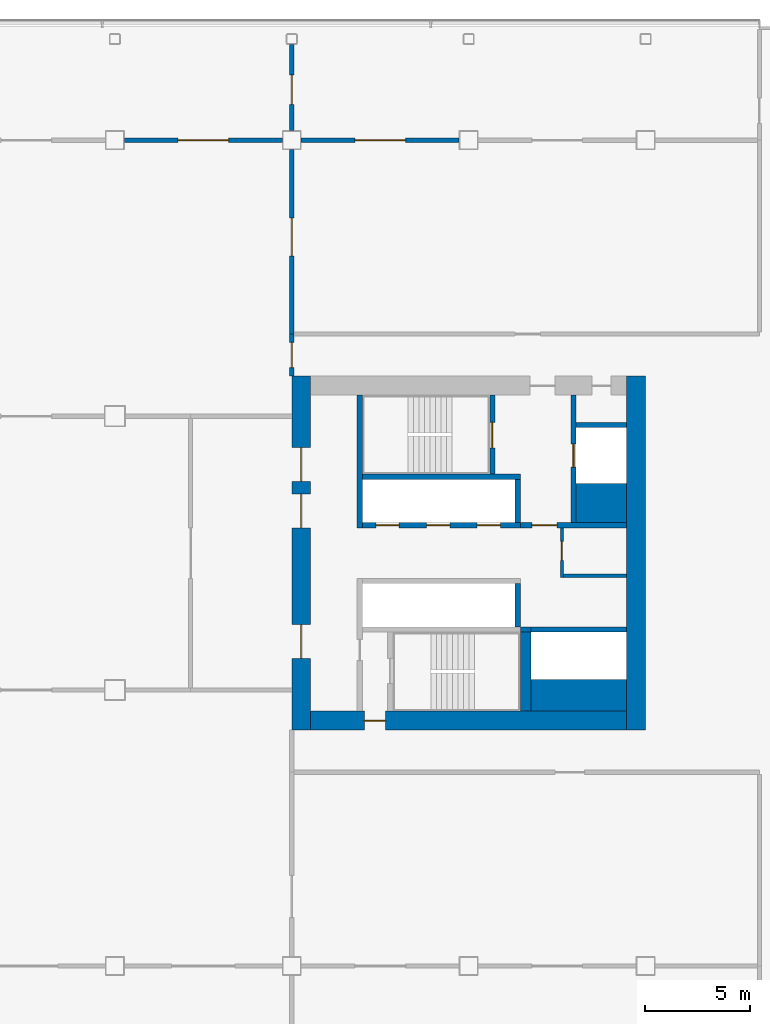
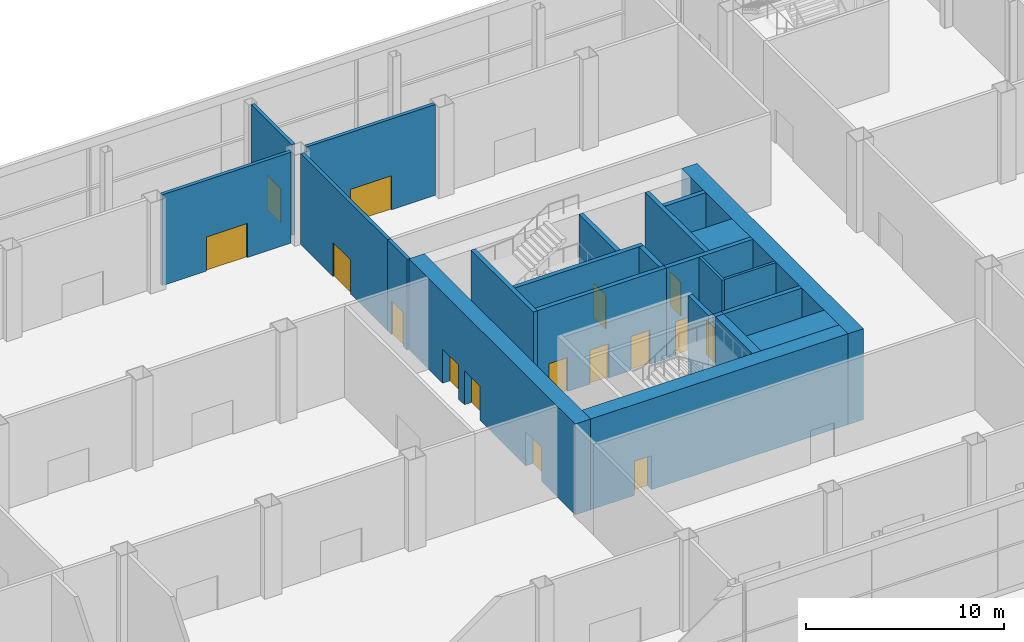
# One storey, part 36 of 100: 24 walls, 16 doors, 16 openings.
"""IFC4 building model written with IfcOpenShell, lengths in metres."""

from ifc_helpers import new_model, si_unit, direction, frame, frame_2d, origin, place, context, subcontext, project, spatial, rectangle, extrude, material, layer, layer_set, type_object, element, fill, save


model = new_model("IFC4")

# Units and contexts
model_context = context("Model", 3, precision=1e-05, world=origin(), true_north=direction((0.0, 1.0)))
body_context = subcontext(model_context, "Body", "Model", "MODEL_VIEW")
ifc_project = project(units=[si_unit("LENGTHUNIT", "METRE"), si_unit("AREAUNIT", "SQUARE_METRE"), si_unit("VOLUMEUNIT", "CUBIC_METRE"), si_unit("PLANEANGLEUNIT", "RADIAN"), si_unit("MASSUNIT", "GRAM", prefix="KILO")], contexts=[model_context])

# Site, building, storey
site_placement = place(None, origin())
site = spatial("IfcSite", under=ifc_project, at=site_placement, CompositionType="ELEMENT")
building_placement = place(site_placement, origin())
building = spatial("IfcBuilding", under=site, at=building_placement, Name="Hakoniwa Tower and Hamabe Station Hall", CompositionType="ELEMENT")
storey_placement = place(building_placement, frame((0.0, 0.0, 9.0)))
storey = spatial("IfcBuildingStorey", under=building, at=storey_placement, Name="L02", CompositionType="ELEMENT", Elevation=9.0)

# Wall, opening, door
ifc_material_1 = material(Name="Gypsum board partition")
ifc_layer_1 = layer(ifc_material_1, 0.14990234375)
ifc_layer_set_1 = layer_set([ifc_layer_1], Name="CORE PARTITION 150 EI 60")
wall_type_1 = type_object("IfcWallType", Name="CORE PARTITION 150 EI 60", PredefinedType="PARTITIONING", material=ifc_layer_set_1)
wall_1_placement = place(storey_placement, frame((29.625, -1.14990234375, 0.0), z_axis=(0.0, 0.0, 1.0), x_axis=(0.0, 1.0, 0.0)))
wall_1 = element("IfcWall", 1, at=wall_1_placement, inside=storey, type_object=wall_type_1, Name="Core partition PW0 east", PredefinedType="PARTITIONING", context=body_context, shape_type="SweptSolid", body=[
    extrude(rectangle(XDim=2.349853515625, YDim=0.14990234375, at=frame_2d((1.1748046875, 0.0))), origin(), (0.0, 0.0, 1.0), 5.60009765625),
])
opening_1_placement = place(wall_1_placement, frame((0.800048828125, 0.0, 0.0)))
opening_1 = element("IfcOpeningElement", 2, at=opening_1_placement, cuts=wall_1, Name="Opening CD-E-RM1-9", PredefinedType="OPENING", context=body_context, shape_type="SweptSolid", body=[
    extrude(rectangle(XDim=0.89990234375, YDim=2.10009765625, at=frame_2d((0.449951171875, 1.050048828125))), frame((0.0, 0.0849609375, 0.0), z_axis=(0.0, -1.0, 0.0), x_axis=(1.0, 0.0, 0.0)), (0.0, 0.0, 1.0), 0.169921875),
])
ifc_material_2 = material(Name="Steel fire door", Category="steel")
door_type_1 = type_object("IfcDoorType", Name="CORE DOOR 900 FD30", OperationType="NOTDEFINED", PredefinedType="DOOR", material=ifc_material_2)
door_1_placement = place(opening_1_placement, origin())
door_1 = element("IfcDoor", 3, at=door_1_placement, inside=storey, type_object=door_type_1, Name="Store room door", OperationType="SINGLE_SWING_LEFT", OverallHeight=2.10009765625, OverallWidth=0.89990234375, PredefinedType="DOOR", context=body_context, shape_type="SweptSolid", body=[
    extrude(rectangle(XDim=0.89990234375, YDim=2.10009765625, at=frame_2d((0.449951171875, 1.050048828125))), frame((0.0, 0.02490234375, 0.0), z_axis=(0.0, -1.0, 0.0), x_axis=(1.0, 0.0, 0.0)), (0.0, 0.0, 1.0), 0.050048828125),
])
fill(opening_1, door_1)

# Wall
wall_2_placement = place(storey_placement, frame((29.699951171875, -1.074951171875, 0.0), z_axis=(0.0, 0.0, 1.0), x_axis=(1.0, 0.0, 0.0)))
element("IfcWall", 4, at=wall_2_placement, inside=storey, type_object=wall_type_1, Name="Core partition PS east", PredefinedType="PARTITIONING", context=body_context, shape_type="SweptSolid", body=[
    extrude(rectangle(XDim=3.0, YDim=0.14990234375, at=frame_2d((1.5, 0.0))), origin(), (0.0, 0.0, 1.0), 5.60009765625),
])

# Wall, openings, doors
ifc_material_3 = material(Name="Concrete C80", Category="concrete")
ifc_layer_2 = layer(ifc_material_3, 0.89990234375)
ifc_layer_set_2 = layer_set([ifc_layer_2], Name="CORE WALL 900 C80")
wall_type_2 = type_object("IfcWallType", Name="CORE WALL 900 C80", PredefinedType="SHEAR", material=ifc_layer_set_2)
wall_3_placement = place(storey_placement, frame((17.25, -8.39990234375, 0.0), z_axis=(0.0, 0.0, 1.0), x_axis=(0.0, 1.0, 0.0)))
wall_3 = element("IfcWall", 5, at=wall_3_placement, inside=storey, type_object=wall_type_2, Name="Core wall INNER east", PredefinedType="SHEAR", context=body_context, shape_type="SweptSolid", body=[
    extrude(rectangle(XDim=16.7998046875, YDim=0.89990234375, at=frame_2d((8.39990234375, 0.0))), origin(), (0.0, 0.0, 1.0), 5.60009765625),
])
opening_2_placement = place(wall_3_placement, frame((3.39990234375, 0.0, 0.0)))
opening_2 = element("IfcOpeningElement", 6, at=opening_2_placement, cuts=wall_3, Name="Opening CD-E-IN1-16", PredefinedType="OPENING", context=body_context, shape_type="SweptSolid", body=[
    extrude(rectangle(XDim=1.60009765625, YDim=2.10009765625, at=frame_2d((0.800048828125, 1.050048828125))), frame((0.0, 0.4599609375, 0.0), z_axis=(0.0, -1.0, 0.0), x_axis=(1.0, 0.0, 0.0)), (0.0, 0.0, 1.0), 0.919921875),
])
opening_3_placement = place(wall_3_placement, frame((9.60009765625, 0.0, 0.0)))
opening_3 = element("IfcOpeningElement", 7, at=opening_3_placement, cuts=wall_3, Name="Opening CD-E-IN2-16", PredefinedType="OPENING", context=body_context, shape_type="SweptSolid", body=[
    extrude(rectangle(XDim=1.60009765625, YDim=2.10009765625, at=frame_2d((0.800048828125, 1.050048828125))), frame((0.0, 0.4599609375, 0.0), z_axis=(0.0, -1.0, 0.0), x_axis=(1.0, 0.0, 0.0)), (0.0, 0.0, 1.0), 0.919921875),
])
opening_4_placement = place(wall_3_placement, frame((11.800048828125, 0.0, 0.0)))
opening_4 = element("IfcOpeningElement", 8, at=opening_4_placement, cuts=wall_3, Name="Opening CD-E-IN3-16", PredefinedType="OPENING", context=body_context, shape_type="SweptSolid", body=[
    extrude(rectangle(XDim=1.60009765625, YDim=2.10009765625, at=frame_2d((0.800048828125, 1.050048828125))), frame((0.0, 0.4599609375, 0.0), z_axis=(0.0, -1.0, 0.0), x_axis=(1.0, 0.0, 0.0)), (0.0, 0.0, 1.0), 0.919921875),
])
ifc_material_4 = material(Name="Steel fire door", Category="steel")
door_type_2 = type_object("IfcDoorType", Name="CORE DOOR 1600 FD60", OperationType="DOUBLE_DOOR_SINGLE_SWING", PredefinedType="DOOR", material=ifc_material_4)
door_2_placement = place(opening_2_placement, origin())
door_2 = element("IfcDoor", 9, at=door_2_placement, inside=storey, type_object=door_type_2, Name="Lift lobby door", OperationType="DOUBLE_DOOR_SINGLE_SWING", OverallHeight=2.10009765625, OverallWidth=1.60009765625, PredefinedType="DOOR", context=body_context, shape_type="SweptSolid", body=[
    extrude(rectangle(XDim=1.60009765625, YDim=2.10009765625, at=frame_2d((0.800048828125, 1.050048828125))), frame((0.0, 0.02490234375, 0.0), z_axis=(0.0, -1.0, 0.0), x_axis=(1.0, 0.0, 0.0)), (0.0, 0.0, 1.0), 0.050048828125),
])
fill(opening_2, door_2)
door_3_placement = place(opening_3_placement, origin())
door_3 = element("IfcDoor", 10, at=door_3_placement, inside=storey, type_object=door_type_2, Name="Lift lobby door", OperationType="DOUBLE_DOOR_SINGLE_SWING", OverallHeight=2.10009765625, OverallWidth=1.60009765625, PredefinedType="DOOR", context=body_context, shape_type="SweptSolid", body=[
    extrude(rectangle(XDim=1.60009765625, YDim=2.10009765625, at=frame_2d((0.800048828125, 1.050048828125))), frame((0.0, 0.02490234375, 0.0), z_axis=(0.0, -1.0, 0.0), x_axis=(1.0, 0.0, 0.0)), (0.0, 0.0, 1.0), 0.050048828125),
])
fill(opening_3, door_3)
door_4_placement = place(opening_4_placement, origin())
door_4 = element("IfcDoor", 11, at=door_4_placement, inside=storey, type_object=door_type_2, Name="Lift lobby door", OperationType="DOUBLE_DOOR_SINGLE_SWING", OverallHeight=2.10009765625, OverallWidth=1.60009765625, PredefinedType="DOOR", context=body_context, shape_type="SweptSolid", body=[
    extrude(rectangle(XDim=1.60009765625, YDim=2.10009765625, at=frame_2d((0.800048828125, 1.050048828125))), frame((0.0, 0.02490234375, 0.0), z_axis=(0.0, -1.0, 0.0), x_axis=(1.0, 0.0, 0.0)), (0.0, 0.0, 1.0), 0.050048828125),
])
fill(opening_4, door_4)

# Wall
wall_4_placement = place(storey_placement, frame((33.14990234375, -8.39990234375, 0.0), z_axis=(0.0, 0.0, 1.0), x_axis=(0.0, 1.0, 0.0)))
element("IfcWall", 12, at=wall_4_placement, inside=storey, type_object=wall_type_2, Name="Core wall OUTER east", PredefinedType="SHEAR", context=body_context, shape_type="SweptSolid", body=[
    extrude(rectangle(XDim=16.7998046875, YDim=0.89990234375, at=frame_2d((8.39990234375, 0.0))), origin(), (0.0, 0.0, 1.0), 5.60009765625),
])

# Wall, opening, door
wall_5_placement = place(storey_placement, frame((17.699951171875, -7.949951171875, 0.0), z_axis=(0.0, 0.0, 1.0), x_axis=(1.0, 0.0, 0.0)))
wall_5 = element("IfcWall", 13, at=wall_5_placement, inside=storey, type_object=wall_type_2, Name="Core wall SOUTH east", PredefinedType="SHEAR", context=body_context, shape_type="SweptSolid", body=[
    extrude(rectangle(XDim=15.0, YDim=0.89990234375, at=frame_2d((7.5, 0.0))), origin(), (0.0, 0.0, 1.0), 5.60009765625),
])
opening_5_placement = place(wall_5_placement, frame((2.550048828125, 0.0, 0.0)))
opening_5 = element("IfcOpeningElement", 14, at=opening_5_placement, cuts=wall_5, Name="Opening CD-E-FS3-10", PredefinedType="OPENING", context=body_context, shape_type="SweptSolid", body=[
    extrude(rectangle(XDim=1.0, YDim=2.10009765625, at=frame_2d((0.5, 1.050048828125))), frame((0.0, 0.4599609375, 0.0), z_axis=(0.0, -1.0, 0.0), x_axis=(1.0, 0.0, 0.0)), (0.0, 0.0, 1.0), 0.919921875),
])
ifc_material_5 = material(Name="Steel fire door", Category="steel")
door_type_3 = type_object("IfcDoorType", Name="CORE DOOR 1000 FD60", OperationType="NOTDEFINED", PredefinedType="DOOR", material=ifc_material_5)
door_5_placement = place(opening_5_placement, origin())
door_5 = element("IfcDoor", 15, at=door_5_placement, inside=storey, type_object=door_type_3, Name="Stair vestibule door", OperationType="SINGLE_SWING_RIGHT", OverallHeight=2.10009765625, OverallWidth=1.0, PredefinedType="DOOR", context=body_context, shape_type="SweptSolid", body=[
    extrude(rectangle(XDim=1.0, YDim=2.10009765625, at=frame_2d((0.5, 1.050048828125))), frame((0.0, 0.02490234375, 0.0), z_axis=(0.0, -1.0, 0.0), x_axis=(1.0, 0.0, 0.0)), (0.0, 0.0, 1.0), 0.050048828125),
])
fill(opening_5, door_5)

# Walls
ifc_material_6 = material(Name="Concrete C80", Category="concrete")
ifc_layer_3 = layer(ifc_material_6, 1.5)
ifc_layer_set_3 = layer_set([ifc_layer_3], Name="CORE WEB WALL 1500 C80")
wall_type_3 = type_object("IfcWallType", Name="CORE WEB WALL 1500 C80", PredefinedType="SHEAR", material=ifc_layer_set_3)
wall_6_placement = place(storey_placement, frame((28.14990234375, -6.75, 0.0), z_axis=(0.0, 0.0, 1.0), x_axis=(1.0, 0.0, 0.0)))
element("IfcWall", 16, at=wall_6_placement, inside=storey, type_object=wall_type_3, Name="Core wall SER east", PredefinedType="SHEAR", context=body_context, shape_type="SweptSolid", body=[
    extrude(rectangle(XDim=4.550048828125, YDim=1.5, at=frame_2d((2.27490234375, 0.0))), origin(), (0.0, 0.0, 1.0), 5.60009765625),
])
ifc_material_7 = material(Name="Concrete C80", Category="concrete")
ifc_layer_4 = layer(ifc_material_7, 1.85009765625)
ifc_layer_set_4 = layer_set([ifc_layer_4], Name="CORE WEB WALL 1850 C80")
wall_type_4 = type_object("IfcWallType", Name="CORE WEB WALL 1850 C80", PredefinedType="SHEAR", material=ifc_layer_set_4)
wall_7_placement = place(storey_placement, frame((30.300048828125, 2.375, 0.0), z_axis=(0.0, 0.0, 1.0), x_axis=(1.0, 0.0, 0.0)))
element("IfcWall", 17, at=wall_7_placement, inside=storey, type_object=wall_type_4, Name="Core wall CA east", PredefinedType="SHEAR", context=body_context, shape_type="SweptSolid", body=[
    extrude(rectangle(XDim=2.39990234375, YDim=1.85009765625, at=frame_2d((1.199951171875, 0.0))), origin(), (0.0, 0.0, 1.0), 5.60009765625),
])
ifc_material_8 = material(Name="Concrete C80", Category="concrete")
ifc_layer_5 = layer(ifc_material_8, 0.25)
ifc_layer_set_5 = layer_set([ifc_layer_5], Name="CORE WEB WALL 250 C80")
wall_type_5 = type_object("IfcWallType", Name="CORE WEB WALL 250 C80", PredefinedType="SHEAR", material=ifc_layer_set_5)
wall_8_placement = place(storey_placement, frame((20.02490234375, 1.199951171875, 0.0), z_axis=(0.0, 0.0, 1.0), x_axis=(0.0, 1.0, 0.0)))
element("IfcWall", 18, at=wall_8_placement, inside=storey, type_object=wall_type_5, Name="Core wall W1N east", PredefinedType="SHEAR", context=body_context, shape_type="SweptSolid", body=[
    extrude(rectangle(XDim=6.300048828125, YDim=0.25, at=frame_2d((3.14990234375, 0.0))), origin(), (0.0, 0.0, 1.0), 5.60009765625),
])

# Wall, openings, doors
wall_9_placement = place(storey_placement, frame((20.14990234375, 1.324951171875, 0.0), z_axis=(0.0, 0.0, 1.0), x_axis=(1.0, 0.0, 0.0)))
wall_9 = element("IfcWall", 19, at=wall_9_placement, inside=storey, type_object=wall_type_5, Name="Core wall NF east", PredefinedType="SHEAR", context=body_context, shape_type="SweptSolid", body=[
    extrude(rectangle(XDim=7.5, YDim=0.25, at=frame_2d((3.75, 0.0))), origin(), (0.0, 0.0, 1.0), 5.60009765625),
])
opening_6_placement = place(wall_9_placement, frame((0.64990234375, 0.0, 0.0)))
opening_6 = element("IfcOpeningElement", 20, at=opening_6_placement, cuts=wall_9, Name="Opening LD-LR4", PredefinedType="OPENING", context=body_context, shape_type="SweptSolid", body=[
    extrude(rectangle(XDim=1.10009765625, YDim=2.10009765625, at=frame_2d((0.550048828125, 1.050048828125))), frame((0.0, 0.135009765625, 0.0), z_axis=(0.0, -1.0, 0.0), x_axis=(1.0, 0.0, 0.0)), (0.0, 0.0, 1.0), 0.27001953125),
])
opening_7_placement = place(wall_9_placement, frame((3.050048828125, 0.0, 0.0)))
opening_7 = element("IfcOpeningElement", 21, at=opening_7_placement, cuts=wall_9, Name="Opening LD-LR5", PredefinedType="OPENING", context=body_context, shape_type="SweptSolid", body=[
    extrude(rectangle(XDim=1.10009765625, YDim=2.10009765625, at=frame_2d((0.550048828125, 1.050048828125))), frame((0.0, 0.135009765625, 0.0), z_axis=(0.0, -1.0, 0.0), x_axis=(1.0, 0.0, 0.0)), (0.0, 0.0, 1.0), 0.27001953125),
])
opening_8_placement = place(wall_9_placement, frame((5.449951171875, 0.0, 0.0)))
opening_8 = element("IfcOpeningElement", 22, at=opening_8_placement, cuts=wall_9, Name="Opening LD-LR6", PredefinedType="OPENING", context=body_context, shape_type="SweptSolid", body=[
    extrude(rectangle(XDim=1.10009765625, YDim=2.10009765625, at=frame_2d((0.550048828125, 1.050048828125))), frame((0.0, 0.135009765625, 0.0), z_axis=(0.0, -1.0, 0.0), x_axis=(1.0, 0.0, 0.0)), (0.0, 0.0, 1.0), 0.27001953125),
])
ifc_material_9 = material(Name="Stainless steel SUS304", Category="steel")
door_type_4 = type_object("IfcDoorType", Name="LIFT LANDING DOOR 1100 FD60", OperationType="DOUBLE_DOOR_SLIDING", PredefinedType="DOOR", material=ifc_material_9)
door_6_placement = place(opening_6_placement, origin())
door_6 = element("IfcDoor", 23, at=door_6_placement, inside=storey, type_object=door_type_4, Name="Lift landing door LR4 L02", OperationType="DOUBLE_DOOR_SLIDING", OverallHeight=2.10009765625, OverallWidth=1.10009765625, PredefinedType="DOOR", context=body_context, shape_type="SweptSolid", body=[
    extrude(rectangle(XDim=1.10009765625, YDim=2.10009765625, at=frame_2d((0.550048828125, 1.050048828125))), frame((0.0, 0.02490234375, 0.0), z_axis=(0.0, -1.0, 0.0), x_axis=(1.0, 0.0, 0.0)), (0.0, 0.0, 1.0), 0.050048828125),
])
fill(opening_6, door_6)
door_7_placement = place(opening_7_placement, origin())
door_7 = element("IfcDoor", 24, at=door_7_placement, inside=storey, type_object=door_type_4, Name="Lift landing door LR5 L02", OperationType="DOUBLE_DOOR_SLIDING", OverallHeight=2.10009765625, OverallWidth=1.10009765625, PredefinedType="DOOR", context=body_context, shape_type="SweptSolid", body=[
    extrude(rectangle(XDim=1.10009765625, YDim=2.10009765625, at=frame_2d((0.550048828125, 1.050048828125))), frame((0.0, 0.02490234375, 0.0), z_axis=(0.0, -1.0, 0.0), x_axis=(1.0, 0.0, 0.0)), (0.0, 0.0, 1.0), 0.050048828125),
])
fill(opening_7, door_7)
door_8_placement = place(opening_8_placement, origin())
door_8 = element("IfcDoor", 25, at=door_8_placement, inside=storey, type_object=door_type_4, Name="Lift landing door LR6 L02", OperationType="DOUBLE_DOOR_SLIDING", OverallHeight=2.10009765625, OverallWidth=1.10009765625, PredefinedType="DOOR", context=body_context, shape_type="SweptSolid", body=[
    extrude(rectangle(XDim=1.10009765625, YDim=2.10009765625, at=frame_2d((0.550048828125, 1.050048828125))), frame((0.0, 0.02490234375, 0.0), z_axis=(0.0, -1.0, 0.0), x_axis=(1.0, 0.0, 0.0)), (0.0, 0.0, 1.0), 0.050048828125),
])
fill(opening_8, door_8)

# Walls
wall_10_placement = place(storey_placement, frame((27.52490234375, 1.449951171875, 0.0), z_axis=(0.0, 0.0, 1.0), x_axis=(0.0, 1.0, 0.0)))
element("IfcWall", 26, at=wall_10_placement, inside=storey, type_object=wall_type_5, Name="Core wall NE east", PredefinedType="SHEAR", context=body_context, shape_type="SweptSolid", body=[
    extrude(rectangle(XDim=2.050048828125, YDim=0.25, at=frame_2d((1.02490234375, 0.0))), origin(), (0.0, 0.0, 1.0), 5.60009765625),
])
wall_11_placement = place(storey_placement, frame((20.14990234375, 3.625, 0.0), z_axis=(0.0, 0.0, 1.0), x_axis=(1.0, 0.0, 0.0)))
element("IfcWall", 27, at=wall_11_placement, inside=storey, type_object=wall_type_5, Name="Core wall NR east", PredefinedType="SHEAR", context=body_context, shape_type="SweptSolid", body=[
    extrude(rectangle(XDim=7.5, YDim=0.25, at=frame_2d((3.75, 0.0))), origin(), (0.0, 0.0, 1.0), 5.60009765625),
])

# Wall, opening, door
wall_12_placement = place(storey_placement, frame((26.324951171875, 3.75, 0.0), z_axis=(0.0, 0.0, 1.0), x_axis=(0.0, 1.0, 0.0)))
wall_12 = element("IfcWall", 28, at=wall_12_placement, inside=storey, type_object=wall_type_5, Name="Core wall NSE east", PredefinedType="SHEAR", context=body_context, shape_type="SweptSolid", body=[
    extrude(rectangle(XDim=3.75, YDim=0.25, at=frame_2d((1.875, 0.0))), origin(), (0.0, 0.0, 1.0), 5.60009765625),
])
opening_9_placement = place(wall_12_placement, frame((1.25, 0.0, 0.0)))
opening_9 = element("IfcOpeningElement", 29, at=opening_9_placement, cuts=wall_12, Name="Opening CD-E-SN-12", PredefinedType="OPENING", context=body_context, shape_type="SweptSolid", body=[
    extrude(rectangle(XDim=1.199951171875, YDim=2.10009765625, at=frame_2d((0.60009765625, 1.050048828125))), frame((0.0, 0.135009765625, 0.0), z_axis=(0.0, -1.0, 0.0), x_axis=(1.0, 0.0, 0.0)), (0.0, 0.0, 1.0), 0.27001953125),
])
ifc_material_10 = material(Name="Steel fire door", Category="steel")
door_type_5 = type_object("IfcDoorType", Name="CORE DOOR 1200 FD60", OperationType="DOUBLE_DOOR_SINGLE_SWING", PredefinedType="DOOR", material=ifc_material_10)
door_9_placement = place(opening_9_placement, origin())
door_9 = element("IfcDoor", 30, at=door_9_placement, inside=storey, type_object=door_type_5, Name="Escape stair door", OperationType="DOUBLE_DOOR_SINGLE_SWING", OverallHeight=2.10009765625, OverallWidth=1.199951171875, PredefinedType="DOOR", context=body_context, shape_type="SweptSolid", body=[
    extrude(rectangle(XDim=1.199951171875, YDim=2.10009765625, at=frame_2d((0.60009765625, 1.050048828125))), frame((0.0, 0.02490234375, 0.0), z_axis=(0.0, -1.0, 0.0), x_axis=(1.0, 0.0, 0.0)), (0.0, 0.0, 1.0), 0.050048828125),
])
fill(opening_9, door_9)

wall_13_placement = place(storey_placement, frame((27.64990234375, 1.324951171875, 0.0), z_axis=(0.0, 0.0, 1.0), x_axis=(1.0, 0.0, 0.0)))
wall_13 = element("IfcWall", 31, at=wall_13_placement, inside=storey, type_object=wall_type_5, Name="Core wall ELN east", PredefinedType="SHEAR", context=body_context, shape_type="SweptSolid", body=[
    extrude(rectangle(XDim=5.050048828125, YDim=0.25, at=frame_2d((2.52490234375, 0.0))), origin(), (0.0, 0.0, 1.0), 5.60009765625),
])
opening_10_placement = place(wall_13_placement, frame((0.550048828125, 0.0, 0.0)))
opening_10 = element("IfcOpeningElement", 32, at=opening_10_placement, cuts=wall_13, Name="Opening CD-E-FL-12", PredefinedType="OPENING", context=body_context, shape_type="SweptSolid", body=[
    extrude(rectangle(XDim=1.199951171875, YDim=2.10009765625, at=frame_2d((0.60009765625, 1.050048828125))), frame((0.0, 0.135009765625, 0.0), z_axis=(0.0, -1.0, 0.0), x_axis=(1.0, 0.0, 0.0)), (0.0, 0.0, 1.0), 0.27001953125),
])
door_10_placement = place(opening_10_placement, origin())
door_10 = element("IfcDoor", 33, at=door_10_placement, inside=storey, type_object=door_type_5, Name="Stair vestibule door to the fire-fighting lobby", OperationType="DOUBLE_DOOR_SINGLE_SWING", OverallHeight=2.10009765625, OverallWidth=1.199951171875, PredefinedType="DOOR", context=body_context, shape_type="SweptSolid", body=[
    extrude(rectangle(XDim=1.199951171875, YDim=2.10009765625, at=frame_2d((0.60009765625, 1.050048828125))), frame((0.0, 0.02490234375, 0.0), z_axis=(0.0, -1.0, 0.0), x_axis=(1.0, 0.0, 0.0)), (0.0, 0.0, 1.0), 0.050048828125),
])
fill(opening_10, door_10)

wall_14_placement = place(storey_placement, frame((30.175048828125, 1.449951171875, 0.0), z_axis=(0.0, 0.0, 1.0), x_axis=(0.0, 1.0, 0.0)))
wall_14 = element("IfcWall", 34, at=wall_14_placement, inside=storey, type_object=wall_type_5, Name="Core wall FFF east", PredefinedType="SHEAR", context=body_context, shape_type="SweptSolid", body=[
    extrude(rectangle(XDim=6.050048828125, YDim=0.25, at=frame_2d((3.02490234375, 0.0))), origin(), (0.0, 0.0, 1.0), 5.60009765625),
])
opening_11_placement = place(wall_14_placement, frame((2.625, 0.0, 0.0)))
opening_11 = element("IfcOpeningElement", 35, at=opening_11_placement, cuts=wall_14, Name="Opening LD-FF2", PredefinedType="OPENING", context=body_context, shape_type="SweptSolid", body=[
    extrude(rectangle(XDim=1.10009765625, YDim=2.10009765625, at=frame_2d((0.550048828125, 1.050048828125))), frame((0.0, 0.135009765625, 0.0), z_axis=(0.0, -1.0, 0.0), x_axis=(1.0, 0.0, 0.0)), (0.0, 0.0, 1.0), 0.27001953125),
])
door_11_placement = place(opening_11_placement, origin())
door_11 = element("IfcDoor", 36, at=door_11_placement, inside=storey, type_object=door_type_4, Name="Lift landing door FF2 L02", OperationType="DOUBLE_DOOR_SLIDING", OverallHeight=2.10009765625, OverallWidth=1.10009765625, PredefinedType="DOOR", context=body_context, shape_type="SweptSolid", body=[
    extrude(rectangle(XDim=1.10009765625, YDim=2.10009765625, at=frame_2d((0.550048828125, 1.050048828125))), frame((0.0, 0.02490234375, 0.0), z_axis=(0.0, -1.0, 0.0), x_axis=(1.0, 0.0, 0.0)), (0.0, 0.0, 1.0), 0.050048828125),
])
fill(opening_11, door_11)

# Walls
wall_15_placement = place(storey_placement, frame((30.300048828125, 6.074951171875, 0.0), z_axis=(0.0, 0.0, 1.0), x_axis=(1.0, 0.0, 0.0)))
element("IfcWall", 37, at=wall_15_placement, inside=storey, type_object=wall_type_5, Name="Core wall C2 east", PredefinedType="SHEAR", context=body_context, shape_type="SweptSolid", body=[
    extrude(rectangle(XDim=2.39990234375, YDim=0.25, at=frame_2d((1.199951171875, 0.0))), origin(), (0.0, 0.0, 1.0), 5.60009765625),
])
wall_16_placement = place(storey_placement, frame((27.52490234375, -3.5, 0.0), z_axis=(0.0, 0.0, 1.0), x_axis=(0.0, 1.0, 0.0)))
element("IfcWall", 38, at=wall_16_placement, inside=storey, type_object=wall_type_5, Name="Core wall SE east", PredefinedType="SHEAR", context=body_context, shape_type="SweptSolid", body=[
    extrude(rectangle(XDim=2.050048828125, YDim=0.25, at=frame_2d((1.02490234375, 0.0))), origin(), (0.0, 0.0, 1.0), 5.60009765625),
])
wall_17_placement = place(storey_placement, frame((28.14990234375, -3.625, 0.0), z_axis=(0.0, 0.0, 1.0), x_axis=(1.0, 0.0, 0.0)))
element("IfcWall", 39, at=wall_17_placement, inside=storey, type_object=wall_type_5, Name="Core wall SEF east", PredefinedType="SHEAR", context=body_context, shape_type="SweptSolid", body=[
    extrude(rectangle(XDim=4.550048828125, YDim=0.25, at=frame_2d((2.27490234375, 0.0))), origin(), (0.0, 0.0, 1.0), 5.60009765625),
])
wall_18_placement = place(storey_placement, frame((27.64990234375, -3.625, 0.0), z_axis=(0.0, 0.0, 1.0), x_axis=(1.0, 0.0, 0.0)))
element("IfcWall", 40, at=wall_18_placement, inside=storey, type_object=wall_type_5, Name="Core wall SRK east", PredefinedType="SHEAR", context=body_context, shape_type="SweptSolid", body=[
    extrude(rectangle(XDim=0.5, YDim=0.25, at=frame_2d((0.25, 0.0))), origin(), (0.0, 0.0, 1.0), 5.60009765625),
])
ifc_material_11 = material(Name="Concrete C80", Category="concrete")
ifc_layer_6 = layer(ifc_material_11, 0.5)
ifc_layer_set_6 = layer_set([ifc_layer_6], Name="CORE WEB WALL 500 C80")
wall_type_6 = type_object("IfcWallType", Name="CORE WEB WALL 500 C80", PredefinedType="SHEAR", material=ifc_layer_set_6)
wall_19_placement = place(storey_placement, frame((27.89990234375, -7.5, 0.0), z_axis=(0.0, 0.0, 1.0), x_axis=(0.0, 1.0, 0.0)))
element("IfcWall", 41, at=wall_19_placement, inside=storey, type_object=wall_type_6, Name="Core wall SSE east", PredefinedType="SHEAR", context=body_context, shape_type="SweptSolid", body=[
    extrude(rectangle(XDim=3.75, YDim=0.5, at=frame_2d((1.875, 0.0))), origin(), (0.0, 0.0, 1.0), 5.60009765625),
])

# Wall, opening, door
ifc_material_12 = material(Name="Fire-rated gypsum board partition")
ifc_layer_7 = layer(ifc_material_12, 0.199951171875)
ifc_layer_set_7 = layer_set([ifc_layer_7], Name="FIRE PARTITION 200 EI 60")
wall_type_7 = type_object("IfcWallType", Name="FIRE PARTITION 200 EI 60", PredefinedType="PARTITIONING", material=ifc_layer_set_7)
wall_20_placement = place(storey_placement, frame((16.800048828125, 24.14990234375, 0.0), z_axis=(0.0, 0.0, 1.0), x_axis=(0.0, -1.0, 0.0)))
wall_20 = element("IfcWall", 42, at=wall_20_placement, inside=storey, type_object=wall_type_7, Name="Wall Banquet Terrace Gallery / Business Centre Gallery", PredefinedType="PARTITIONING", context=body_context, shape_type="SweptSolid", body=[
    extrude(rectangle(XDim=4.099853515625, YDim=0.199951171875, at=frame_2d((2.0498046875, 0.0))), origin(), (0.0, 0.0, 1.0), 5.60009765625),
])
opening_12_placement = place(wall_20_placement, frame((1.449951171875, 0.0, 0.0)))
opening_12 = element("IfcOpeningElement", 43, at=opening_12_placement, cuts=wall_20, Name="Opening PD-L02-031", PredefinedType="OPENING", context=body_context, shape_type="SweptSolid", body=[
    extrude(rectangle(XDim=1.39990234375, YDim=2.10009765625, at=frame_2d((0.699951171875, 1.050048828125))), frame((0.0, 0.10986328125, 0.0), z_axis=(0.0, -1.0, 0.0), x_axis=(1.0, 0.0, 0.0)), (0.0, 0.0, 1.0), 0.219970703125),
])
ifc_material_13 = material(Name="Timber door leaf", Category="wood")
door_type_6 = type_object("IfcDoorType", Name="SINGLE DOOR 1400X2100", OperationType="SINGLE_SWING_LEFT", PredefinedType="DOOR", material=ifc_material_13)
door_12_placement = place(opening_12_placement, origin())
door_12 = element("IfcDoor", 44, at=door_12_placement, inside=storey, type_object=door_type_6, Name="Door PD-L02-031", OperationType="SINGLE_SWING_RIGHT", OverallHeight=2.10009765625, OverallWidth=1.39990234375, PredefinedType="DOOR", context=body_context, shape_type="SweptSolid", body=[
    extrude(rectangle(XDim=1.39990234375, YDim=2.10009765625, at=frame_2d((0.699951171875, 1.050048828125))), frame((0.0, 0.02490234375, 0.0), z_axis=(0.0, -1.0, 0.0), x_axis=(1.0, 0.0, 0.0)), (0.0, 0.0, 1.0), 0.050048828125),
])
fill(opening_12, door_12)

wall_21_placement = place(storey_placement, frame((17.25, 19.60009765625, 0.0), z_axis=(0.0, 0.0, 1.0), x_axis=(1.0, 0.0, 0.0)))
wall_21 = element("IfcWall", 45, at=wall_21_placement, inside=storey, type_object=wall_type_7, Name="Wall Business Centre / Business Centre Gallery", PredefinedType="PARTITIONING", context=body_context, shape_type="SweptSolid", body=[
    extrude(rectangle(XDim=7.5, YDim=0.199951171875, at=frame_2d((3.75, 0.0))), origin(), (0.0, 0.0, 1.0), 5.60009765625),
])
opening_13_placement = place(wall_21_placement, frame((2.550048828125, 0.0, 0.0)))
opening_13 = element("IfcOpeningElement", 46, at=opening_13_placement, cuts=wall_21, Name="Opening PD-L02-028", PredefinedType="OPENING", context=body_context, shape_type="SweptSolid", body=[
    extrude(rectangle(XDim=2.39990234375, YDim=2.10009765625, at=frame_2d((1.199951171875, 1.050048828125))), frame((0.0, 0.10986328125, 0.0), z_axis=(0.0, -1.0, 0.0), x_axis=(1.0, 0.0, 0.0)), (0.0, 0.0, 1.0), 0.219970703125),
])
ifc_material_14 = material(Name="Glazed aluminium door", Category="aluminium")
door_type_7 = type_object("IfcDoorType", Name="DOUBLE GLAZED DOOR 2400X2100", OperationType="DOUBLE_DOOR_DOUBLE_SWING", PredefinedType="DOOR", material=ifc_material_14)
door_13_placement = place(opening_13_placement, origin())
door_13 = element("IfcDoor", 47, at=door_13_placement, inside=storey, type_object=door_type_7, Name="Door PD-L02-028", OperationType="DOUBLE_DOOR_DOUBLE_SWING", OverallHeight=2.10009765625, OverallWidth=2.39990234375, PredefinedType="DOOR", context=body_context, shape_type="SweptSolid", body=[
    extrude(rectangle(XDim=2.39990234375, YDim=2.10009765625, at=frame_2d((1.199951171875, 1.050048828125))), frame((0.0, 0.02490234375, 0.0), z_axis=(0.0, -1.0, 0.0), x_axis=(1.0, 0.0, 0.0)), (0.0, 0.0, 1.0), 0.050048828125),
])
fill(opening_13, door_13)

wall_22_placement = place(storey_placement, frame((16.800048828125, 8.39990234375, 0.0), z_axis=(0.0, 0.0, 1.0), x_axis=(0.0, 1.0, 0.0)))
wall_22 = element("IfcWall", 48, at=wall_22_placement, inside=storey, type_object=wall_type_7, Name="Wall East Gallery / Banquet Pre-function Foyer", PredefinedType="PARTITIONING", context=body_context, shape_type="SweptSolid", body=[
    extrude(rectangle(XDim=2.0, YDim=0.199951171875, at=frame_2d((1.0, 0.0))), origin(), (0.0, 0.0, 1.0), 5.60009765625),
])
opening_14_placement = place(wall_22_placement, frame((0.39990234375, 0.0, 0.0)))
opening_14 = element("IfcOpeningElement", 49, at=opening_14_placement, cuts=wall_22, Name="Opening PD-L02-040", PredefinedType="OPENING", context=body_context, shape_type="SweptSolid", body=[
    extrude(rectangle(XDim=1.199951171875, YDim=2.10009765625, at=frame_2d((0.60009765625, 1.050048828125))), frame((0.0, 0.10986328125, 0.0), z_axis=(0.0, -1.0, 0.0), x_axis=(1.0, 0.0, 0.0)), (0.0, 0.0, 1.0), 0.219970703125),
])
ifc_material_15 = material(Name="Steel fire door", Category="steel")
door_type_8 = type_object("IfcDoorType", Name="FIRE DOOR 1200X2100 FD60", OperationType="SINGLE_SWING_LEFT", PredefinedType="DOOR", material=ifc_material_15)
door_14_placement = place(opening_14_placement, origin())
door_14 = element("IfcDoor", 50, at=door_14_placement, inside=storey, type_object=door_type_8, Name="Door PD-L02-040", OperationType="SINGLE_SWING_RIGHT", OverallHeight=2.10009765625, OverallWidth=1.199951171875, PredefinedType="DOOR", context=body_context, shape_type="SweptSolid", body=[
    extrude(rectangle(XDim=1.199951171875, YDim=2.10009765625, at=frame_2d((0.60009765625, 1.050048828125))), frame((0.0, 0.02490234375, 0.0), z_axis=(0.0, -1.0, 0.0), x_axis=(1.0, 0.0, 0.0)), (0.0, 0.0, 1.0), 0.050048828125),
])
fill(opening_14, door_14)

wall_23_placement = place(storey_placement, frame((8.85009765625, 19.60009765625, 0.0), z_axis=(0.0, 0.0, 1.0), x_axis=(1.0, 0.0, 0.0)))
wall_23 = element("IfcWall", 51, at=wall_23_placement, inside=storey, type_object=wall_type_7, Name="Wall Banquet Pre-function Foyer / Banquet Terrace Gallery", PredefinedType="PARTITIONING", context=body_context, shape_type="SweptSolid", body=[
    extrude(rectangle(XDim=7.5, YDim=0.199951171875, at=frame_2d((3.75, 0.0))), origin(), (0.0, 0.0, 1.0), 5.60009765625),
])
opening_15_placement = place(wall_23_placement, frame((2.550048828125, 0.0, 0.0)))
opening_15 = element("IfcOpeningElement", 52, at=opening_15_placement, cuts=wall_23, Name="Opening PD-L02-025", PredefinedType="OPENING", context=body_context, shape_type="SweptSolid", body=[
    extrude(rectangle(XDim=2.39990234375, YDim=2.10009765625, at=frame_2d((1.199951171875, 1.050048828125))), frame((0.0, 0.10986328125, 0.0), z_axis=(0.0, -1.0, 0.0), x_axis=(1.0, 0.0, 0.0)), (0.0, 0.0, 1.0), 0.219970703125),
])
door_15_placement = place(opening_15_placement, origin())
door_15 = element("IfcDoor", 53, at=door_15_placement, inside=storey, type_object=door_type_7, Name="Door PD-L02-025", OperationType="DOUBLE_DOOR_DOUBLE_SWING", OverallHeight=2.10009765625, OverallWidth=2.39990234375, PredefinedType="DOOR", context=body_context, shape_type="SweptSolid", body=[
    extrude(rectangle(XDim=2.39990234375, YDim=2.10009765625, at=frame_2d((1.199951171875, 1.050048828125))), frame((0.0, 0.02490234375, 0.0), z_axis=(0.0, -1.0, 0.0), x_axis=(1.0, 0.0, 0.0)), (0.0, 0.0, 1.0), 0.050048828125),
])
fill(opening_15, door_15)

wall_24_placement = place(storey_placement, frame((16.800048828125, 19.14990234375, 0.0), z_axis=(0.0, 0.0, 1.0), x_axis=(0.0, -1.0, 0.0)))
wall_24 = element("IfcWall", 54, at=wall_24_placement, inside=storey, type_object=wall_type_7, Name="Wall Banquet Pre-function Foyer / Business Centre", PredefinedType="PARTITIONING", context=body_context, shape_type="SweptSolid", body=[
    extrude(rectangle(XDim=8.75, YDim=0.199951171875, at=frame_2d((4.375, 0.0))), origin(), (0.0, 0.0, 1.0), 5.60009765625),
])
opening_16_placement = place(wall_24_placement, frame((3.25, 0.0, 0.0)))
opening_16 = element("IfcOpeningElement", 55, at=opening_16_placement, cuts=wall_24, Name="Opening PD-L02-041", PredefinedType="OPENING", context=body_context, shape_type="SweptSolid", body=[
    extrude(rectangle(XDim=1.800048828125, YDim=2.10009765625, at=frame_2d((0.89990234375, 1.050048828125))), frame((0.0, 0.10986328125, 0.0), z_axis=(0.0, -1.0, 0.0), x_axis=(1.0, 0.0, 0.0)), (0.0, 0.0, 1.0), 0.219970703125),
])
ifc_material_16 = material(Name="Glazed aluminium door", Category="aluminium")
door_type_9 = type_object("IfcDoorType", Name="DOUBLE GLAZED DOOR 1800X2100", OperationType="DOUBLE_DOOR_DOUBLE_SWING", PredefinedType="DOOR", material=ifc_material_16)
door_16_placement = place(opening_16_placement, origin())
door_16 = element("IfcDoor", 56, at=door_16_placement, inside=storey, type_object=door_type_9, Name="Door PD-L02-041", OperationType="DOUBLE_DOOR_DOUBLE_SWING", OverallHeight=2.10009765625, OverallWidth=1.800048828125, PredefinedType="DOOR", context=body_context, shape_type="SweptSolid", body=[
    extrude(rectangle(XDim=1.800048828125, YDim=2.10009765625, at=frame_2d((0.89990234375, 1.050048828125))), frame((0.0, 0.02490234375, 0.0), z_axis=(0.0, -1.0, 0.0), x_axis=(1.0, 0.0, 0.0)), (0.0, 0.0, 1.0), 0.050048828125),
])
fill(opening_16, door_16)

save(model, "model.ifc")
